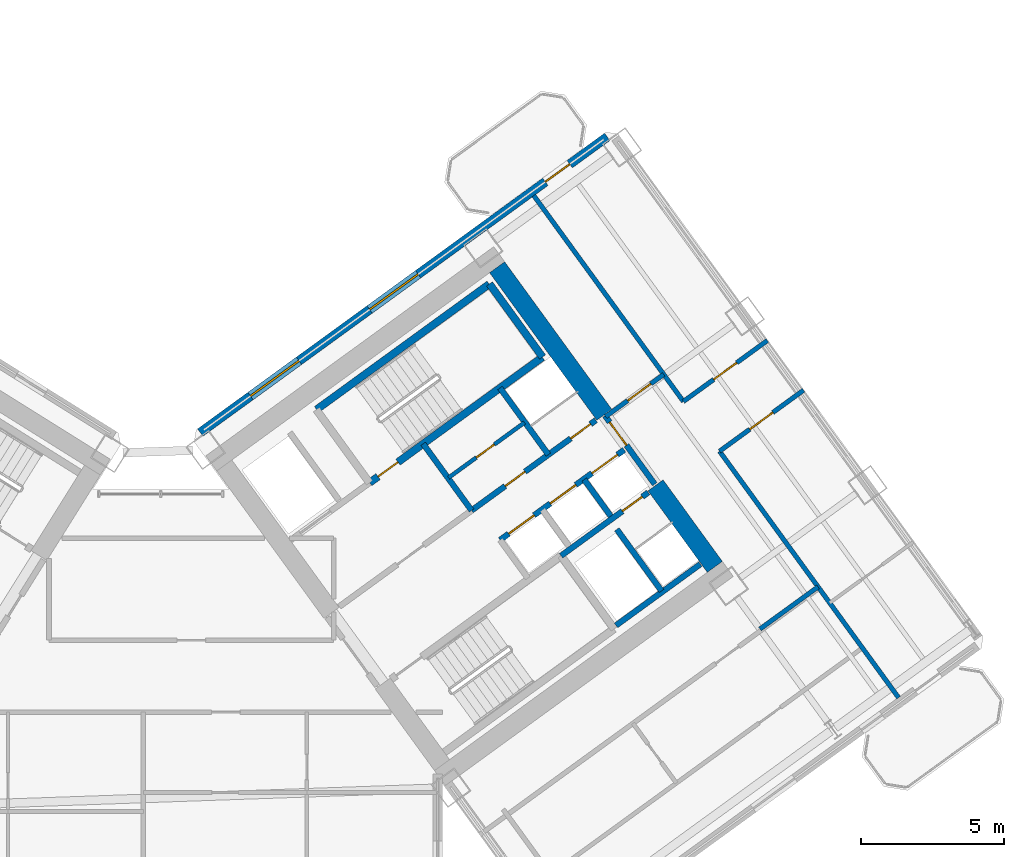
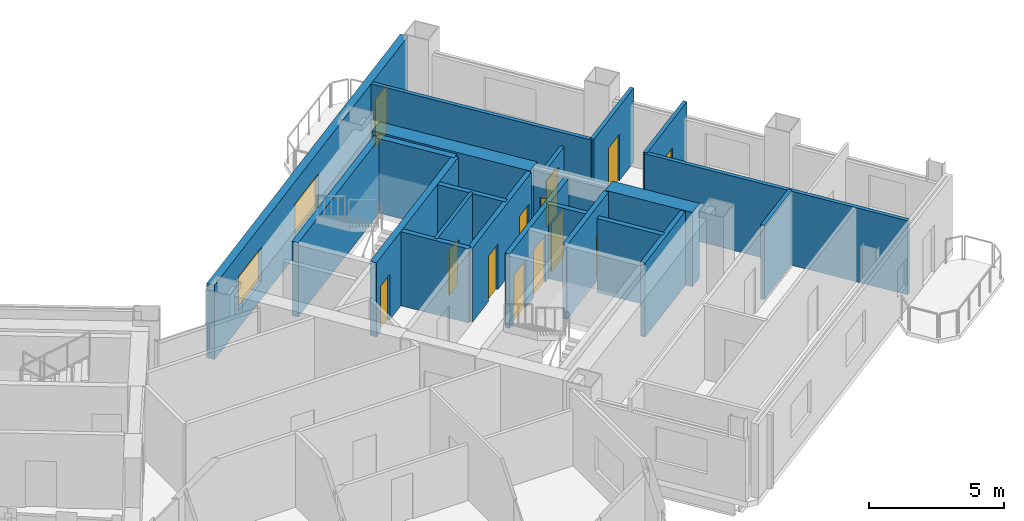
# One storey, part 19 of 28: 22 walls, 13 doors, 2 windows, 15 openings.
"""IFC4 building model written with IfcOpenShell, lengths in metres."""

from ifc_helpers import new_model, si_unit, direction, frame, frame_2d, origin, place, context, subcontext, project, spatial, rectangle, extrude, source, transform, mapped, material, layer, layer_set, type_object, element, fill, save


model = new_model("IFC4")

# Units and contexts
model_context = context("Model", 3, precision=1e-05, world=origin(), true_north=direction((0.0, 1.0)))
body_context = subcontext(model_context, "Body", "Model", "MODEL_VIEW")
ifc_project = project(units=[si_unit("LENGTHUNIT", "METRE"), si_unit("AREAUNIT", "SQUARE_METRE"), si_unit("VOLUMEUNIT", "CUBIC_METRE"), si_unit("PLANEANGLEUNIT", "RADIAN"), si_unit("MASSUNIT", "GRAM", prefix="KILO")], contexts=[model_context])

# Site, building, storey
site_placement = place(None, origin())
site = spatial("IfcSite", under=ifc_project, at=site_placement, CompositionType="ELEMENT")
building_placement = place(site_placement, origin())
building = spatial("IfcBuilding", under=site, at=building_placement, Name="Tlacorven Tower", CompositionType="ELEMENT")
storey_placement = place(building_placement, frame((0.0, 0.0, 27.60009765625)))
storey = spatial("IfcBuildingStorey", under=building, at=storey_placement, Name="L06", CompositionType="ELEMENT", Elevation=27.60009765625)

# Walls
ifc_material_1 = material(Name="Concrete C60/75", Category="concrete")
ifc_layer_1 = layer(ifc_material_1, 0.64990234375)
ifc_layer_set_1 = layer_set([ifc_layer_1], Name="Concrete C60/75")
wall_type_1 = type_object("IfcWallType", Name="WL-COR-650", PredefinedType="SHEAR", material=ifc_layer_set_1)
wall_1_placement = place(storey_placement, frame((61.9287109375, 20.494384765625, 0.0), z_axis=(0.0, 0.0, 1.0), x_axis=(-0.58782982593, 0.808984607855, 0.0)))
element("IfcWall", 1, at=wall_1_placement, inside=storey, type_object=wall_type_1, Name="L06 E core end wall E2.1", PredefinedType="SHEAR", context=body_context, shape_type="SweptSolid", body=[
    extrude(rectangle(XDim=3.52490234375, YDim=0.64990234375, at=frame_2d((1.762451171875, 0.0))), origin(), (0.0, 0.0, 1.0), 3.349853515625),
])
wall_2_placement = place(storey_placement, frame((58.06396484375, 25.8134765625, 0.0), z_axis=(0.0, 0.0, 1.0), x_axis=(-0.58777996584, 0.809020835181, 0.0)))
element("IfcWall", 2, at=wall_2_placement, inside=storey, type_object=wall_type_1, Name="L06 E core end wall E2.2", PredefinedType="SHEAR", context=body_context, shape_type="SweptSolid", body=[
    extrude(rectangle(XDim=6.375, YDim=0.64990234375, at=frame_2d((3.1875, 0.0))), origin(), (0.0, 0.0, 1.0), 3.349853515625),
])
ifc_material_2 = material(Name="Gypsum plasterboard acoustic partition", Category="gypsum")
ifc_layer_2 = layer(ifc_material_2, 0.159912109375)
ifc_layer_set_2 = layer_set([ifc_layer_2], Name="Gypsum plasterboard acoustic partition")
wall_type_2 = type_object("IfcWallType", Name="WL-DEM-160", PredefinedType="PARTITIONING", material=ifc_layer_set_2)
wall_3_placement = place(storey_placement, frame((63.5068359375, 18.322021484375, 0.0), z_axis=(0.0, 0.0, 1.0), x_axis=(0.809034604122, 0.587761013791, 0.0)))
element("IfcWall", 3, at=wall_3_placement, inside=storey, type_object=wall_type_2, Name="L06 partition 90", PredefinedType="PARTITIONING", context=body_context, shape_type="SweptSolid", body=[
    extrude(rectangle(XDim=2.510009765625, YDim=0.159912109375, at=frame_2d((1.2548828125, 0.0))), origin(), (0.0, 0.0, 1.0), 3.33984375),
])

# Wall, opening, door
wall_4_placement = place(storey_placement, frame((58.111083984375, 25.748779296875, 0.0), z_axis=(0.0, 0.0, 1.0), x_axis=(0.809000999347, 0.58780726693, 0.0)))
wall_4 = element("IfcWall", 4, at=wall_4_placement, inside=storey, type_object=wall_type_2, Name="L06 partition 91", PredefinedType="PARTITIONING", context=body_context, shape_type="SweptSolid", body=[
    extrude(rectangle(XDim=2.510009765625, YDim=0.159912109375, at=frame_2d((1.2548828125, 0.0))), origin(), (0.0, 0.0, 1.0), 2.724853515625),
])
opening_1_placement = place(wall_4_placement, frame((0.949951171875, 0.0, 0.0)))
opening_1 = element("IfcOpeningElement", 5, at=opening_1_placement, cuts=wall_4, Name="Opening D11", PredefinedType="OPENING", context=body_context, shape_type="SweptSolid", body=[
    extrude(rectangle(XDim=1.0, YDim=2.10009765625, at=frame_2d((0.5, 1.050048828125))), frame((0.0, 0.08984375, 0.0), z_axis=(0.0, -1.0, 0.0), x_axis=(1.0, 0.0, 0.0)), (0.0, 0.0, 1.0), 0.179931640625),
])
ifc_material_3 = material(Name="Fire-rated steel door assembly", Category="steel")
door_type_1 = type_object("IfcDoorType", Name="DR-FLT-FD60-1000", OperationType="NOTDEFINED", PredefinedType="DOOR", material=ifc_material_3)
shared_shape_1 = source(origin(), body_context, "Body", "SweptSolid", [
    extrude(rectangle(XDim=1.0, YDim=2.10009765625, at=frame_2d((0.5, 1.050048828125))), frame((0.0, 0.02490234375, 0.0), z_axis=(0.0, -1.0, 0.0), x_axis=(1.0, 0.0, 0.0)), (0.0, 0.0, 1.0), 0.050048828125),
])
door_1_placement = place(opening_1_placement, origin())
door_1 = element("IfcDoor", 6, at=door_1_placement, inside=storey, type_object=door_type_1, Name="L06 door 054", OperationType="SINGLE_SWING_RIGHT", OverallHeight=2.10009765625, OverallWidth=1.0, PredefinedType="DOOR", context=body_context, shape_type="MappedRepresentation", body=[
    mapped(shared_shape_1, transform((0.0, 0.0, 0.0), scale=1.0)),
])
fill(opening_1, door_1)

# Walls
wall_5_placement = place(storey_placement, frame((68.35302734375, 15.922119140625, 0.0), z_axis=(0.0, 0.0, 1.0), x_axis=(-0.587783168305, 0.809018508476, 0.0)))
element("IfcWall", 7, at=wall_5_placement, inside=storey, type_object=wall_type_2, Name="L06 partition 92", PredefinedType="PARTITIONING", context=body_context, shape_type="SweptSolid", body=[
    extrude(rectangle(XDim=10.650146484375, YDim=0.159912109375, at=frame_2d((5.3251953125, 0.0))), origin(), (0.0, 0.0, 1.0), 3.33984375),
])
wall_6_placement = place(storey_placement, frame((60.829345703125, 26.277587890625, 0.0), z_axis=(0.0, 0.0, 1.0), x_axis=(-0.587781800813, 0.80901950201, 0.0)))
element("IfcWall", 8, at=wall_6_placement, inside=storey, type_object=wall_type_2, Name="L06 partition 93", PredefinedType="PARTITIONING", context=body_context, shape_type="SweptSolid", body=[
    extrude(rectangle(XDim=8.89990234375, YDim=0.159912109375, at=frame_2d((4.449951171875, 0.0))), origin(), (0.0, 0.0, 1.0), 3.33984375),
])

# Wall, opening, door
wall_7_placement = place(storey_placement, frame((62.093017578125, 24.538330078125, 0.0), z_axis=(0.0, 0.0, 1.0), x_axis=(0.809035546126, 0.58775971715, 0.0)))
wall_7 = element("IfcWall", 9, at=wall_7_placement, inside=storey, type_object=wall_type_2, Name="L06 partition 95", PredefinedType="PARTITIONING", context=body_context, shape_type="SweptSolid", body=[
    extrude(rectangle(XDim=3.6298828125, YDim=0.159912109375, at=frame_2d((1.81494140625, 0.0))), origin(), (0.0, 0.0, 1.0), 3.33984375),
])
opening_2_placement = place(wall_7_placement, frame((1.304931640625, 0.0, 0.0)))
opening_2 = element("IfcOpeningElement", 10, at=opening_2_placement, cuts=wall_7, Name="Opening D11", PredefinedType="OPENING", context=body_context, shape_type="SweptSolid", body=[
    extrude(rectangle(XDim=1.0, YDim=2.10009765625, at=frame_2d((0.5, 1.050048828125))), frame((0.0, 0.08984375, 0.0), z_axis=(0.0, -1.0, 0.0), x_axis=(1.0, 0.0, 0.0)), (0.0, 0.0, 1.0), 0.179931640625),
])
door_2_placement = place(opening_2_placement, origin())
door_2 = element("IfcDoor", 11, at=door_2_placement, inside=storey, type_object=door_type_1, Name="L06 door 057", OperationType="SINGLE_SWING_LEFT", OverallHeight=2.10009765625, OverallWidth=1.0, PredefinedType="DOOR", context=body_context, shape_type="MappedRepresentation", body=[
    mapped(shared_shape_1, transform((0.0, 0.0, 0.0), scale=1.0)),
])
fill(opening_2, door_2)

wall_8_placement = place(storey_placement, frame((60.829345703125, 26.277587890625, 0.0), z_axis=(0.0, 0.0, 1.0), x_axis=(0.809003564202, 0.587803736896, 0.0)))
wall_8 = element("IfcWall", 12, at=wall_8_placement, inside=storey, type_object=wall_type_2, Name="L06 partition 96", PredefinedType="PARTITIONING", context=body_context, shape_type="SweptSolid", body=[
    extrude(rectangle(XDim=3.630126953125, YDim=0.159912109375, at=frame_2d((1.81494140625, 0.0))), origin(), (0.0, 0.0, 1.0), 3.33984375),
])
opening_3_placement = place(wall_8_placement, frame((1.304931640625, 0.0, 0.0)))
opening_3 = element("IfcOpeningElement", 13, at=opening_3_placement, cuts=wall_8, Name="Opening D11", PredefinedType="OPENING", context=body_context, shape_type="SweptSolid", body=[
    extrude(rectangle(XDim=1.0, YDim=2.10009765625, at=frame_2d((0.5, 1.050048828125))), frame((0.0, 0.08984375, 0.0), z_axis=(0.0, -1.0, 0.0), x_axis=(1.0, 0.0, 0.0)), (0.0, 0.0, 1.0), 0.179931640625),
])
door_3_placement = place(opening_3_placement, origin())
door_3 = element("IfcDoor", 14, at=door_3_placement, inside=storey, type_object=door_type_1, Name="L06 door 056", OperationType="SINGLE_SWING_LEFT", OverallHeight=2.10009765625, OverallWidth=1.0, PredefinedType="DOOR", context=body_context, shape_type="MappedRepresentation", body=[
    mapped(shared_shape_1, transform((0.0, 0.0, 0.0), scale=1.0)),
])
fill(opening_3, door_3)

# Wall, openings, door, windows
ifc_material_4 = material(Name="Precast concrete C45/55", Category="concrete")
ifc_layer_3 = layer(ifc_material_4, 0.320068359375)
ifc_layer_set_3 = layer_set([ifc_layer_3], Name="Precast concrete C45/55")
wall_type_3 = type_object("IfcWallType", Name="WL-EXT-320", PredefinedType="STANDARD", material=ifc_layer_set_3)
wall_9_placement = place(storey_placement, frame((43.93798828125, 25.191650390625, 0.0), z_axis=(0.0, 0.0, 1.0), x_axis=(0.809016324578, 0.587786174187, 0.0)))
wall_9 = element("IfcWall", 15, at=wall_9_placement, inside=storey, type_object=wall_type_3, Name="L06 Masonry-Frame Recessed Facade Wall 4", PredefinedType="STANDARD", context=body_context, shape_type="SweptSolid", body=[
    extrude(rectangle(XDim=17.58740234375, YDim=0.320068359375, at=frame_2d((8.793701171875, 0.0))), origin(), (0.0, 0.0, 1.0), 3.349853515625),
])
opening_4_placement = place(wall_9_placement, frame((14.913818359375, 0.0, 0.0)))
opening_4 = element("IfcOpeningElement", 16, at=opening_4_placement, cuts=wall_9, Name="Opening D06", PredefinedType="OPENING", context=body_context, shape_type="SweptSolid", body=[
    extrude(rectangle(XDim=1.050048828125, YDim=2.14990234375, at=frame_2d((0.52490234375, 1.074951171875))), frame((0.0, 0.169921875, 0.0), z_axis=(0.0, -1.0, 0.0), x_axis=(1.0, 0.0, 0.0)), (0.0, 0.0, 1.0), 0.340087890625),
])
opening_5_placement = place(wall_9_placement, frame((2.168701171875, 0.0, 0.800048828125)))
opening_5 = element("IfcOpeningElement", 17, at=opening_5_placement, cuts=wall_9, Name="Opening WN04", PredefinedType="OPENING", context=body_context, shape_type="SweptSolid", body=[
    extrude(rectangle(XDim=2.10009765625, YDim=1.550048828125, at=frame_2d((1.050048828125, 0.77490234375))), frame((0.0, 0.169921875, 0.0), z_axis=(0.0, -1.0, 0.0), x_axis=(1.0, 0.0, 0.0)), (0.0, 0.0, 1.0), 0.340087890625),
])
opening_6_placement = place(wall_9_placement, frame((7.318603515625, 0.0, 0.800048828125)))
opening_6 = element("IfcOpeningElement", 18, at=opening_6_placement, cuts=wall_9, Name="Opening WN04", PredefinedType="OPENING", context=body_context, shape_type="SweptSolid", body=[
    extrude(rectangle(XDim=2.10009765625, YDim=1.550048828125, at=frame_2d((1.050048828125, 0.77490234375))), frame((0.0, 0.169921875, 0.0), z_axis=(0.0, -1.0, 0.0), x_axis=(1.0, 0.0, 0.0)), (0.0, 0.0, 1.0), 0.340087890625),
])
ifc_material_5 = material(Name="Powder-coated aluminium and timber door", Category="wood")
door_type_2 = type_object("IfcDoorType", Name="DR-EXT-BALC-1050", OperationType="NOTDEFINED", PredefinedType="DOOR", material=ifc_material_5)
shared_shape_2 = source(origin(), body_context, "Body", "SweptSolid", [
    extrude(rectangle(XDim=1.050048828125, YDim=2.14990234375, at=frame_2d((0.52490234375, 1.074951171875))), frame((0.0, 0.02490234375, 0.0), z_axis=(0.0, -1.0, 0.0), x_axis=(1.0, 0.0, 0.0)), (0.0, 0.0, 1.0), 0.050048828125),
])
door_4_placement = place(opening_4_placement, origin())
door_4 = element("IfcDoor", 19, at=door_4_placement, inside=storey, type_object=door_type_2, Name="L06 Outdoor Access Door BAL-L06-E-IN", OperationType="SINGLE_SWING_RIGHT", OverallHeight=2.14990234375, OverallWidth=1.050048828125, PredefinedType="DOOR", context=body_context, shape_type="MappedRepresentation", body=[
    mapped(shared_shape_2, transform((0.0, 0.0, 0.0), scale=1.0)),
])
fill(opening_4, door_4)
ifc_material_6 = material(Name="Dark solar low-E double glazing in anodised aluminium frame", Category="aluminium")
window_type = type_object("IfcWindowType", Name="WN-APT-2100X1750", PartitioningType="SINGLE_PANEL", PredefinedType="WINDOW", material=ifc_material_6)
shared_shape_3 = source(origin(), body_context, "Body", "SweptSolid", [
    extrude(rectangle(XDim=2.10009765625, YDim=1.550048828125, at=frame_2d((1.050048828125, 0.77490234375))), frame((0.0, 0.030029296875, 0.0), z_axis=(0.0, -1.0, 0.0), x_axis=(1.0, 0.0, 0.0)), (0.0, 0.0, 1.0), 0.06005859375),
])
window_1_placement = place(opening_5_placement, origin())
window_1 = element("IfcWindow", 20, at=window_1_placement, inside=storey, type_object=window_type, Name="L06 Recessed Masonry-Frame Window L06-04.1", OverallHeight=1.550048828125, OverallWidth=2.10009765625, PartitioningType="SINGLE_PANEL", PredefinedType="WINDOW", context=body_context, shape_type="MappedRepresentation", body=[
    mapped(shared_shape_3, transform((0.0, 0.0, 0.0), scale=1.0)),
])
fill(opening_5, window_1)
window_2_placement = place(opening_6_placement, origin())
window_2 = element("IfcWindow", 21, at=window_2_placement, inside=storey, type_object=window_type, Name="L06 Recessed Masonry-Frame Window L06-04.2", OverallHeight=1.550048828125, OverallWidth=2.10009765625, PartitioningType="SINGLE_PANEL", PredefinedType="WINDOW", context=body_context, shape_type="MappedRepresentation", body=[
    mapped(shared_shape_3, transform((0.0, 0.0, 0.0), scale=1.0)),
])
fill(opening_6, window_2)

# Wall, opening, door
ifc_material_7 = material(Name="Moisture-resistant gypsum plumbing wall", Category="gypsum")
ifc_layer_4 = layer(ifc_material_7, 0.139892578125)
ifc_layer_set_4 = layer_set([ifc_layer_4], Name="Moisture-resistant gypsum plumbing wall")
wall_type_4 = type_object("IfcWallType", Name="WL-PLM-140", PredefinedType="PLUMBINGWALL", material=ifc_layer_set_4)
wall_10_placement = place(storey_placement, frame((52.617919921875, 23.612060546875, 0.0), z_axis=(0.0, 0.0, 1.0), x_axis=(0.809009587469, 0.587795446889, 0.0)))
wall_10 = element("IfcWall", 22, at=wall_10_placement, inside=storey, type_object=wall_type_4, Name="L06 partition 45", PredefinedType="PLUMBINGWALL", context=body_context, shape_type="SweptSolid", body=[
    extrude(rectangle(XDim=3.280029296875, YDim=0.139892578125, at=frame_2d((1.64013671875, 0.0))), origin(), (0.0, 0.0, 1.0), 3.33984375),
])
opening_7_placement = place(wall_10_placement, frame((1.199951171875, 0.0, 0.0)))
opening_7 = element("IfcOpeningElement", 23, at=opening_7_placement, cuts=wall_10, Name="Opening D22", PredefinedType="OPENING", context=body_context, shape_type="SweptSolid", body=[
    extrude(rectangle(XDim=0.780029296875, YDim=2.050048828125, at=frame_2d((0.39013671875, 1.02490234375))), frame((0.0, 0.080078125, 0.0), z_axis=(0.0, -1.0, 0.0), x_axis=(1.0, 0.0, 0.0)), (0.0, 0.0, 1.0), 0.159912109375),
])
door_type_3 = type_object("IfcDoorType", Name="DR-INT-WET-0780", OperationType="NOTDEFINED", PredefinedType="DOOR", material=ifc_material_5)
shared_shape_4 = source(origin(), body_context, "Body", "SweptSolid", [
    extrude(rectangle(XDim=0.780029296875, YDim=2.050048828125, at=frame_2d((0.39013671875, 1.02490234375))), frame((0.0, 0.02490234375, 0.0), z_axis=(0.0, -1.0, 0.0), x_axis=(1.0, 0.0, 0.0)), (0.0, 0.0, 1.0), 0.050048828125),
])
door_5_placement = place(opening_7_placement, origin())
door_5 = element("IfcDoor", 24, at=door_5_placement, inside=storey, type_object=door_type_3, Name="L06 door 018", OperationType="SINGLE_SWING_LEFT", OverallHeight=2.050048828125, OverallWidth=0.780029296875, PredefinedType="DOOR", context=body_context, shape_type="MappedRepresentation", body=[
    mapped(shared_shape_4, transform((0.0, 0.0, 0.0), scale=1.0)),
])
fill(opening_7, door_5)

ifc_material_8 = material(Name="Concrete C40/50", Category="concrete")
ifc_layer_5 = layer(ifc_material_8, 0.199951171875)
ifc_layer_set_5 = layer_set([ifc_layer_5], Name="Concrete C40/50")
wall_type_5 = type_object("IfcWallType", Name="WL-SHF-200", PredefinedType="STANDARD", material=ifc_layer_set_5)
wall_11_placement = place(storey_placement, frame((56.552978515625, 20.884033203125, 0.0), z_axis=(0.0, 0.0, 1.0), x_axis=(0.809035789462, 0.587759382205, 0.0)))
wall_11 = element("IfcWall", 25, at=wall_11_placement, inside=storey, type_object=wall_type_5, Name="L06 Core E South Lift Shaft Wall", PredefinedType="STANDARD", context=body_context, shape_type="SweptSolid", body=[
    extrude(rectangle(XDim=3.767822265625, YDim=0.199951171875, at=frame_2d((1.8837890625, 0.0))), origin(), (0.0, 0.0, 1.0), 3.33984375),
])
opening_8_placement = place(wall_11_placement, frame((2.64990234375, 0.0, 0.0)))
opening_8 = element("IfcOpeningElement", 26, at=opening_8_placement, cuts=wall_11, Name="Opening D19", PredefinedType="OPENING", context=body_context, shape_type="SweptSolid", body=[
    extrude(rectangle(XDim=0.860107421875, YDim=2.050048828125, at=frame_2d((0.43017578125, 1.02490234375))), frame((0.0, 0.10986328125, 0.0), z_axis=(0.0, -1.0, 0.0), x_axis=(1.0, 0.0, 0.0)), (0.0, 0.0, 1.0), 0.219970703125),
])
door_type_4 = type_object("IfcDoorType", Name="DR-RSR-FD60-0860", OperationType="NOTDEFINED", PredefinedType="DOOR", material=ifc_material_3)
shared_shape_5 = source(origin(), body_context, "Body", "SweptSolid", [
    extrude(rectangle(XDim=0.860107421875, YDim=2.050048828125, at=frame_2d((0.43017578125, 1.02490234375))), frame((0.0, 0.02490234375, 0.0), z_axis=(0.0, -1.0, 0.0), x_axis=(1.0, 0.0, 0.0)), (0.0, 0.0, 1.0), 0.050048828125),
])
door_6_placement = place(opening_8_placement, origin())
door_6 = element("IfcDoor", 27, at=door_6_placement, inside=storey, type_object=door_type_4, Name="L06 Smoke Extract Riser Access Door", OperationType="SINGLE_SWING_RIGHT", OverallHeight=2.050048828125, OverallWidth=0.860107421875, PredefinedType="DOOR", context=body_context, shape_type="MappedRepresentation", body=[
    mapped(shared_shape_5, transform((0.0, 0.0, 0.0), scale=1.0)),
])
fill(opening_8, door_6)

# Wall, openings, doors
wall_12_placement = place(storey_placement, frame((54.421142578125, 21.436279296875, 0.0), z_axis=(0.0, 0.0, 1.0), x_axis=(0.809013710463, 0.587789772183, 0.0)))
wall_12 = element("IfcWall", 28, at=wall_12_placement, inside=storey, type_object=wall_type_5, Name="L06 partition 33", PredefinedType="STANDARD", context=body_context, shape_type="SweptSolid", body=[
    extrude(rectangle(XDim=5.360107421875, YDim=0.199951171875, at=frame_2d((2.68017578125, 0.0))), origin(), (0.0, 0.0, 1.0), 3.33984375),
])
opening_9_placement = place(wall_12_placement, frame((0.3701171875, 0.0, 0.0)))
opening_9 = element("IfcOpeningElement", 29, at=opening_9_placement, cuts=wall_12, Name="Opening LD01", PredefinedType="OPENING", context=body_context, shape_type="SweptSolid", body=[
    extrude(rectangle(XDim=1.10009765625, YDim=2.14990234375, at=frame_2d((0.550048828125, 1.074951171875))), frame((0.0, 0.10986328125, 0.0), z_axis=(0.0, -1.0, 0.0), x_axis=(1.0, 0.0, 0.0)), (0.0, 0.0, 1.0), 0.219970703125),
])
opening_10_placement = place(wall_12_placement, frame((2.169921875, 0.0, 0.0)))
opening_10 = element("IfcOpeningElement", 30, at=opening_10_placement, cuts=wall_12, Name="Opening LD01", PredefinedType="OPENING", context=body_context, shape_type="SweptSolid", body=[
    extrude(rectangle(XDim=1.10009765625, YDim=2.14990234375, at=frame_2d((0.550048828125, 1.074951171875))), frame((0.0, 0.10986328125, 0.0), z_axis=(0.0, -1.0, 0.0), x_axis=(1.0, 0.0, 0.0)), (0.0, 0.0, 1.0), 0.219970703125),
])
opening_11_placement = place(wall_12_placement, frame((3.969970703125, 0.0, 0.0)))
opening_11 = element("IfcOpeningElement", 31, at=opening_11_placement, cuts=wall_12, Name="Opening LD01", PredefinedType="OPENING", context=body_context, shape_type="SweptSolid", body=[
    extrude(rectangle(XDim=1.10009765625, YDim=2.14990234375, at=frame_2d((0.550048828125, 1.074951171875))), frame((0.0, 0.10986328125, 0.0), z_axis=(0.0, -1.0, 0.0), x_axis=(1.0, 0.0, 0.0)), (0.0, 0.0, 1.0), 0.219970703125),
])
door_type_5 = type_object("IfcDoorType", Name="DR-LFT-SLID-1100", OperationType="DOUBLE_DOOR_SLIDING", PredefinedType="DOOR", material=ifc_material_3)
shared_shape_6 = source(origin(), body_context, "Body", "SweptSolid", [
    extrude(rectangle(XDim=1.10009765625, YDim=2.14990234375, at=frame_2d((0.550048828125, 1.074951171875))), frame((0.0, 0.02490234375, 0.0), z_axis=(0.0, -1.0, 0.0), x_axis=(1.0, 0.0, 0.0)), (0.0, 0.0, 1.0), 0.050048828125),
])
door_7_placement = place(opening_9_placement, origin())
door_7 = element("IfcDoor", 32, at=door_7_placement, inside=storey, type_object=door_type_5, Name="L06 Lift PL-L1 Sliding Landing Door", OperationType="DOUBLE_DOOR_SLIDING", OverallHeight=2.14990234375, OverallWidth=1.10009765625, PredefinedType="DOOR", context=body_context, shape_type="MappedRepresentation", body=[
    mapped(shared_shape_6, transform((0.0, 0.0, 0.0), scale=1.0)),
])
fill(opening_9, door_7)
door_8_placement = place(opening_10_placement, origin())
door_8 = element("IfcDoor", 33, at=door_8_placement, inside=storey, type_object=door_type_5, Name="L06 Lift PL-L2 Sliding Landing Door", OperationType="DOUBLE_DOOR_SLIDING", OverallHeight=2.14990234375, OverallWidth=1.10009765625, PredefinedType="DOOR", context=body_context, shape_type="MappedRepresentation", body=[
    mapped(shared_shape_6, transform((0.0, 0.0, 0.0), scale=1.0)),
])
fill(opening_10, door_8)
door_9_placement = place(opening_11_placement, origin())
door_9 = element("IfcDoor", 34, at=door_9_placement, inside=storey, type_object=door_type_5, Name="L06 Lift PL-L3 Sliding Landing Door", OperationType="DOUBLE_DOOR_SLIDING", OverallHeight=2.14990234375, OverallWidth=1.10009765625, PredefinedType="DOOR", context=body_context, shape_type="MappedRepresentation", body=[
    mapped(shared_shape_6, transform((0.0, 0.0, 0.0), scale=1.0)),
])
fill(opening_11, door_9)

# Walls
wall_13_placement = place(storey_placement, frame((58.290283203125, 22.269775390625, 0.0), z_axis=(0.0, 0.0, 1.0), x_axis=(-0.587840865826, 0.808976585857, 0.0)))
element("IfcWall", 35, at=wall_13_placement, inside=storey, type_object=wall_type_5, Name="L06 partition 37", PredefinedType="STANDARD", context=body_context, shape_type="SweptSolid", body=[
    extrude(rectangle(XDim=1.579833984375, YDim=0.199951171875, at=frame_2d((0.7900390625, 0.0))), origin(), (0.0, 0.0, 1.0), 3.33984375),
])
wall_14_placement = place(storey_placement, frame((60.066650390625, 19.654541015625, 0.0), z_axis=(0.0, 0.0, 1.0), x_axis=(-0.587800520745, 0.809005900975, 0.0)))
element("IfcWall", 36, at=wall_14_placement, inside=storey, type_object=wall_type_5, Name="L06 partition 38", PredefinedType="STANDARD", context=body_context, shape_type="SweptSolid", body=[
    extrude(rectangle(XDim=2.659912109375, YDim=0.199951171875, at=frame_2d((1.330078125, 0.0))), origin(), (0.0, 0.0, 1.0), 3.33984375),
])
wall_15_placement = place(storey_placement, frame((58.47216796875, 18.446533203125, 0.0), z_axis=(0.0, 0.0, 1.0), x_axis=(0.809022487728, 0.587777691266, 0.0)))
element("IfcWall", 37, at=wall_15_placement, inside=storey, type_object=wall_type_5, Name="L06 partition 40", PredefinedType="STANDARD", context=body_context, shape_type="SweptSolid", body=[
    extrude(rectangle(XDim=3.648193359375, YDim=0.199951171875, at=frame_2d((1.82421875, 0.0))), origin(), (0.0, 0.0, 1.0), 3.33984375),
])
wall_16_placement = place(storey_placement, frame((53.424560546875, 22.467529296875, 0.0), z_axis=(0.0, 0.0, 1.0), x_axis=(-0.5877230039, 0.809062216821, 0.0)))
element("IfcWall", 38, at=wall_16_placement, inside=storey, type_object=wall_type_5, Name="L06 partition 42", PredefinedType="STANDARD", context=body_context, shape_type="SweptSolid", body=[
    extrude(rectangle(XDim=2.8798828125, YDim=0.199951171875, at=frame_2d((1.43994140625, 0.0))), origin(), (0.0, 0.0, 1.0), 3.33984375),
])
wall_17_placement = place(storey_placement, frame((56.110595703125, 24.4189453125, 0.0), z_axis=(0.0, 0.0, 1.0), x_axis=(-0.58777848983, 0.809021907548, 0.0)))
element("IfcWall", 39, at=wall_17_placement, inside=storey, type_object=wall_type_5, Name="L06 partition 43", PredefinedType="STANDARD", context=body_context, shape_type="SweptSolid", body=[
    extrude(rectangle(XDim=2.880126953125, YDim=0.199951171875, at=frame_2d((1.43994140625, 0.0))), origin(), (0.0, 0.0, 1.0), 3.33984375),
])

# Wall, openings, doors
wall_18_placement = place(storey_placement, frame((53.424560546875, 22.467529296875, 0.0), z_axis=(0.0, 0.0, 1.0), x_axis=(0.80902705128, 0.587771409902, 0.0)))
wall_18 = element("IfcWall", 40, at=wall_18_placement, inside=storey, type_object=wall_type_5, Name="L06 Core E North Service Wall", PredefinedType="STANDARD", context=body_context, shape_type="SweptSolid", body=[
    extrude(rectangle(XDim=5.3681640625, YDim=0.199951171875, at=frame_2d((2.68408203125, 0.0))), origin(), (0.0, 0.0, 1.0), 3.33984375),
])
opening_12_placement = place(wall_18_placement, frame((4.280029296875, 0.0, 0.0)))
opening_12 = element("IfcOpeningElement", 41, at=opening_12_placement, cuts=wall_18, Name="Opening D19", PredefinedType="OPENING", context=body_context, shape_type="SweptSolid", body=[
    extrude(rectangle(XDim=0.860107421875, YDim=2.050048828125, at=frame_2d((0.43017578125, 1.02490234375))), frame((0.0, 0.10986328125, 0.0), z_axis=(0.0, -1.0, 0.0), x_axis=(1.0, 0.0, 0.0)), (0.0, 0.0, 1.0), 0.219970703125),
])
opening_13_placement = place(wall_18_placement, frame((1.449951171875, 0.0, 0.0)))
opening_13 = element("IfcOpeningElement", 42, at=opening_13_placement, cuts=wall_18, Name="Opening D19", PredefinedType="OPENING", context=body_context, shape_type="SweptSolid", body=[
    extrude(rectangle(XDim=0.860107421875, YDim=2.050048828125, at=frame_2d((0.43017578125, 1.02490234375))), frame((0.0, 0.10986328125, 0.0), z_axis=(0.0, -1.0, 0.0), x_axis=(1.0, 0.0, 0.0)), (0.0, 0.0, 1.0), 0.219970703125),
])
door_10_placement = place(opening_12_placement, frame((0.860107421875, 0.0, 0.0), z_axis=(0.0, 0.0, 1.0), x_axis=(-1.0, 0.0, 0.0)))
door_10 = element("IfcDoor", 43, at=door_10_placement, inside=storey, type_object=door_type_4, Name="L06 Electrical Riser Access Door E", OperationType="SINGLE_SWING_LEFT", OverallHeight=2.050048828125, OverallWidth=0.860107421875, PredefinedType="DOOR", context=body_context, shape_type="MappedRepresentation", body=[
    mapped(shared_shape_5, transform((0.0, 0.0, 0.0), scale=1.0)),
])
fill(opening_12, door_10)
door_11_placement = place(opening_13_placement, frame((0.860107421875, 0.0, 0.0), z_axis=(0.0, 0.0, 1.0), x_axis=(-1.0, 0.0, 0.0)))
door_11 = element("IfcDoor", 44, at=door_11_placement, inside=storey, type_object=door_type_4, Name="L06 Cleaner Store Access Door E", OperationType="SINGLE_SWING_RIGHT", OverallHeight=2.050048828125, OverallWidth=0.860107421875, PredefinedType="DOOR", context=body_context, shape_type="MappedRepresentation", body=[
    mapped(shared_shape_5, transform((0.0, 0.0, 0.0), scale=1.0)),
])
fill(opening_13, door_11)

# Wall, opening, door
wall_19_placement = place(storey_placement, frame((59.827392578125, 23.386474609375, 0.0), z_axis=(0.0, 0.0, 1.0), x_axis=(-0.587803840107, 0.809003489211, 0.0)))
wall_19 = element("IfcWall", 45, at=wall_19_placement, inside=storey, type_object=wall_type_5, Name="L06 partition 89", PredefinedType="STANDARD", context=body_context, shape_type="SweptSolid", body=[
    extrude(rectangle(XDim=2.960205078125, YDim=0.199951171875, at=frame_2d((1.47998046875, 0.0))), origin(), (0.0, 0.0, 1.0), 3.33984375),
])
opening_14_placement = place(wall_19_placement, frame((1.679931640625, 0.0, 0.0)))
opening_14 = element("IfcOpeningElement", 46, at=opening_14_placement, cuts=wall_19, Name="Opening D11", PredefinedType="OPENING", context=body_context, shape_type="SweptSolid", body=[
    extrude(rectangle(XDim=1.0, YDim=2.10009765625, at=frame_2d((0.5, 1.050048828125))), frame((0.0, 0.10986328125, 0.0), z_axis=(0.0, -1.0, 0.0), x_axis=(1.0, 0.0, 0.0)), (0.0, 0.0, 1.0), 0.219970703125),
])
door_12_placement = place(opening_14_placement, origin())
door_12 = element("IfcDoor", 47, at=door_12_placement, inside=storey, type_object=door_type_1, Name="L06 door 055", OperationType="SINGLE_SWING_LEFT", OverallHeight=2.10009765625, OverallWidth=1.0, PredefinedType="DOOR", context=body_context, shape_type="MappedRepresentation", body=[
    mapped(shared_shape_1, transform((0.0, 0.0, 0.0), scale=1.0)),
])
fill(opening_14, door_12)

# Wall
ifc_material_9 = material(Name="Concrete C50/60", Category="concrete")
ifc_layer_6 = layer(ifc_material_9, 0.260009765625)
ifc_layer_set_6 = layer_set([ifc_layer_6], Name="Concrete C50/60")
wall_type_6 = type_object("IfcWallType", Name="WL-STW-260", PredefinedType="SHEAR", material=ifc_layer_set_6)
wall_20_placement = place(storey_placement, frame((48.005615234375, 25.996337890625, 0.0), z_axis=(0.0, 0.0, 1.0), x_axis=(0.80901903764, 0.587782439969, 0.0)))
element("IfcWall", 48, at=wall_20_placement, inside=storey, type_object=wall_type_6, Name="L06 Stair E1 Far Shear Wall", PredefinedType="SHEAR", context=body_context, shape_type="SweptSolid", body=[
    extrude(rectangle(XDim=7.4599609375, YDim=0.260009765625, at=frame_2d((3.72998046875, 0.0))), origin(), (0.0, 0.0, 1.0), 3.349853515625),
])

# Wall, opening, door
wall_21_placement = place(storey_placement, frame((49.863037109375, 23.439697265625, 0.0), z_axis=(0.0, 0.0, 1.0), x_axis=(0.809003474932, 0.587803859759, 0.0)))
wall_21 = element("IfcWall", 49, at=wall_21_placement, inside=storey, type_object=wall_type_6, Name="L06 Stair E1 Lobby Shear Wall", PredefinedType="SHEAR", context=body_context, shape_type="SweptSolid", body=[
    extrude(rectangle(XDim=7.4599609375, YDim=0.260009765625, at=frame_2d((3.72998046875, 0.0))), origin(), (0.0, 0.0, 1.0), 3.349853515625),
])
opening_15_placement = place(wall_21_placement, frame((0.360107421875, 0.0, 0.0)))
opening_15 = element("IfcOpeningElement", 50, at=opening_15_placement, cuts=wall_21, Name="Opening D19", PredefinedType="OPENING", context=body_context, shape_type="SweptSolid", body=[
    extrude(rectangle(XDim=0.860107421875, YDim=2.050048828125, at=frame_2d((0.43017578125, 1.02490234375))), frame((0.0, 0.14013671875, 0.0), z_axis=(0.0, -1.0, 0.0), x_axis=(1.0, 0.0, 0.0)), (0.0, 0.0, 1.0), 0.280029296875),
])
door_13_placement = place(opening_15_placement, frame((0.860107421875, 0.0, 0.0), z_axis=(0.0, 0.0, 1.0), x_axis=(-1.0, 0.0, 0.0)))
door_13 = element("IfcDoor", 51, at=door_13_placement, inside=storey, type_object=door_type_4, Name="L06 Exit Stair E1 Fire Door", OperationType="SINGLE_SWING_LEFT", OverallHeight=2.050048828125, OverallWidth=0.860107421875, PredefinedType="DOOR", context=body_context, shape_type="MappedRepresentation", body=[
    mapped(shared_shape_5, transform((0.0, 0.0, 0.0), scale=1.0)),
])
fill(opening_15, door_13)

# Wall
wall_22_placement = place(storey_placement, frame((55.906494140625, 27.83056640625, 0.0), z_axis=(0.0, 0.0, 1.0), x_axis=(-0.587804123638, 0.809003283204, 0.0)))
element("IfcWall", 52, at=wall_22_placement, inside=storey, type_object=wall_type_6, Name="L06 Stair E1 East Shear Wall", PredefinedType="SHEAR", context=body_context, shape_type="SweptSolid", body=[
    extrude(rectangle(XDim=3.159912109375, YDim=0.260009765625, at=frame_2d((1.580078125, 0.0))), origin(), (0.0, 0.0, 1.0), 3.349853515625),
])

save(model, "model.ifc")
